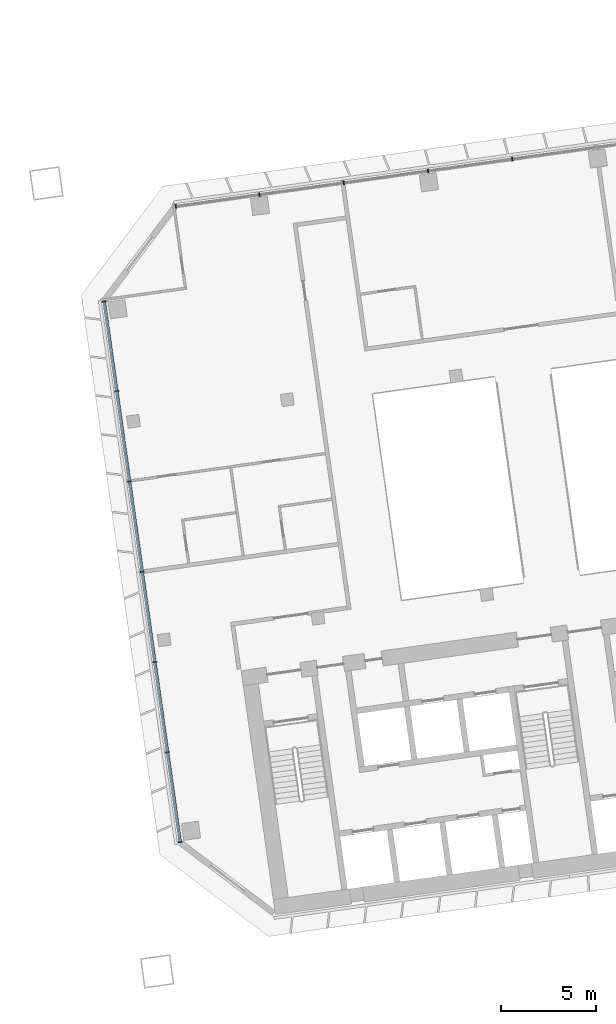
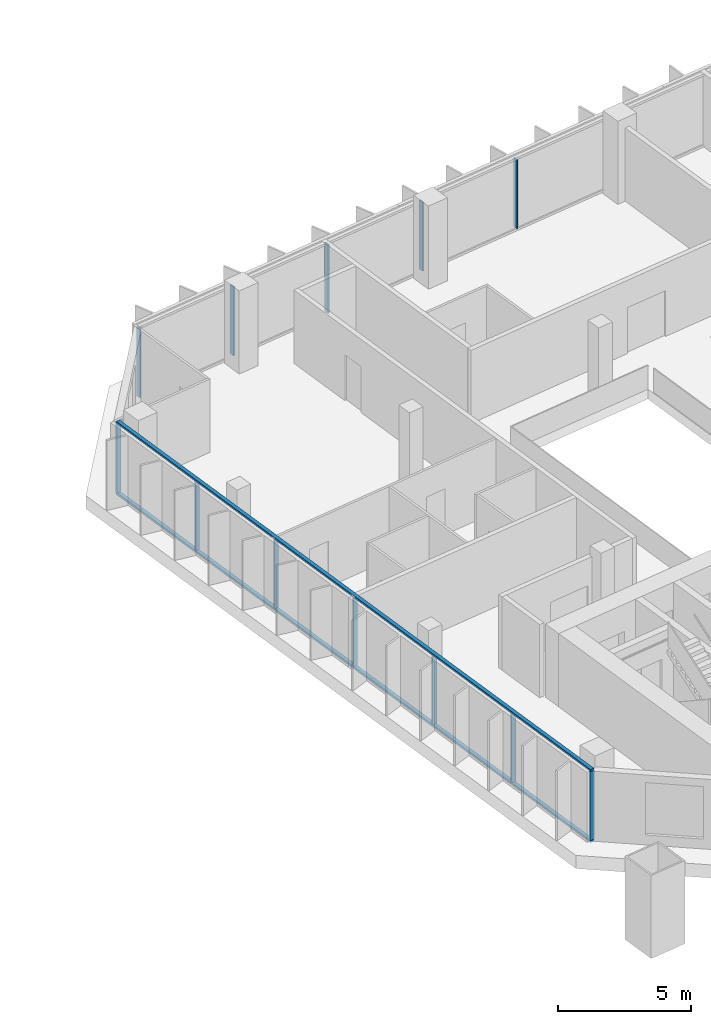
# One storey, part 7 of 25: 14 members, 2 elements without a shape of their own.
"""IFC4 building model written with IfcOpenShell, lengths in metres."""

from ifc_helpers import new_model, si_unit, direction, frame, origin, origin_2d, place, context, subcontext, project, spatial, rectangle, extrude, material, material_profile, profile_set, type_object, element, aggregate, save


model = new_model("IFC4")

# Units and contexts
model_context = context("Model", 3, precision=1e-05, world=origin(), true_north=direction((0.0, 1.0)))
body_context = subcontext(model_context, "Body", "Model", "MODEL_VIEW")
ifc_project = project(units=[si_unit("LENGTHUNIT", "METRE"), si_unit("AREAUNIT", "SQUARE_METRE"), si_unit("VOLUMEUNIT", "CUBIC_METRE"), si_unit("PLANEANGLEUNIT", "RADIAN"), si_unit("MASSUNIT", "GRAM", prefix="KILO")], contexts=[model_context])

# Site, building, storey
site_placement = place(None, origin())
site = spatial("IfcSite", under=ifc_project, at=site_placement, CompositionType="ELEMENT")
building_placement = place(site_placement, origin())
building = spatial("IfcBuilding", under=site, at=building_placement, Name="Mirante Cascada Hotel Towers", CompositionType="ELEMENT")
storey_placement = place(building_placement, frame((0.0, 0.0, 129.1)))
storey = spatial("IfcBuildingStorey", under=building, at=storey_placement, Name="L29", CompositionType="ELEMENT", Elevation=129.1)

# Curtain wall, members
ifc_material_1 = material(Name="Aluminium mullion and transom frame with clear laminated glass", Category="aluminium")
curtain_wall_type_1 = type_object("IfcCurtainWallType", Name="Ribbon curtain wall ECW1", PredefinedType="NOTDEFINED", material=ifc_material_1)
curtain_wall_1_placement = place(storey_placement, origin())
curtain_wall_1 = element("IfcCurtainWall", 1, at=curtain_wall_1_placement, inside=storey, type_object=curtain_wall_type_1, Name="Front ribbon wall T2 L29", PredefinedType="NOTDEFINED")
ifc_material_2 = material(Name="Anodised aluminium extrusion", Category="aluminium")
ifc_material_profile_1 = material_profile(ifc_material_2, rectangle(XDim=0.2, YDim=0.065, at=origin_2d()), Name="ECW1 MULLION 65x200")
ifc_profile_set_1 = profile_set([ifc_material_profile_1], Name="Anodised aluminium extrusion")
member_type_1 = type_object("IfcMemberType", Name="ECW1 mullion 65x200", PredefinedType="MULLION", material=ifc_profile_set_1)
member_1_placement = place(storey_placement, frame((49.684, 19.8017, 0.1), z_axis=(0.0, 0.0, 1.0), x_axis=(0.1391731, -0.9902681, 0.0)))
member_1 = element("IfcMember", 2, at=member_1_placement, type_object=member_type_1, Name="ECW1 mullion 11", PredefinedType="MULLION", context=body_context, shape_type="SweptSolid", body=[
    extrude(rectangle(XDim=0.2, YDim=0.065, at=origin_2d()), origin(), (0.0, 0.0, 1.0), 3.15),
])
member_2_placement = place(storey_placement, frame((45.2366, 19.1766, 0.1), z_axis=(0.0, 0.0, 1.0), x_axis=(0.1391731, -0.9902681, 0.0)))
member_2 = element("IfcMember", 3, at=member_2_placement, type_object=member_type_1, Name="ECW1 mullion 12", PredefinedType="MULLION", context=body_context, shape_type="SweptSolid", body=[
    extrude(rectangle(XDim=0.2, YDim=0.065, at=origin_2d()), origin(), (0.0, 0.0, 1.0), 3.15),
])
member_3_placement = place(storey_placement, frame((40.7892, 18.5516, 0.1), z_axis=(0.0, 0.0, 1.0), x_axis=(0.1391731, -0.9902681, 0.0)))
member_3 = element("IfcMember", 4, at=member_3_placement, type_object=member_type_1, Name="ECW1 mullion 13", PredefinedType="MULLION", context=body_context, shape_type="SweptSolid", body=[
    extrude(rectangle(XDim=0.2, YDim=0.065, at=origin_2d()), origin(), (0.0, 0.0, 1.0), 3.15),
])
member_4_placement = place(storey_placement, frame((36.3417, 17.9265, 0.1), z_axis=(0.0, 0.0, 1.0), x_axis=(0.1391731, -0.9902681, 0.0)))
member_4 = element("IfcMember", 5, at=member_4_placement, type_object=member_type_1, Name="ECW1 mullion 14", PredefinedType="MULLION", context=body_context, shape_type="SweptSolid", body=[
    extrude(rectangle(XDim=0.2, YDim=0.065, at=origin_2d()), origin(), (0.0, 0.0, 1.0), 3.15),
])
member_5_placement = place(storey_placement, frame((31.9265, 17.306, 0.1), z_axis=(0.0, 0.0, 1.0), x_axis=(0.1391731, -0.9902681, 0.0)))
member_5 = element("IfcMember", 6, at=member_5_placement, type_object=member_type_1, Name="ECW1 mullion 15", PredefinedType="MULLION", context=body_context, shape_type="SweptSolid", body=[
    extrude(rectangle(XDim=0.2, YDim=0.065, at=origin_2d()), origin(), (0.0, 0.0, 1.0), 3.15),
])
aggregate(curtain_wall_1, [member_1, member_2, member_3, member_4, member_5])

ifc_material_3 = material(Name="Aluminium mullion and transom frame with clear laminated glass", Category="aluminium")
curtain_wall_type_2 = type_object("IfcCurtainWallType", Name="End ribbon curtain wall ECW2", PredefinedType="NOTDEFINED", material=ifc_material_3)
curtain_wall_2_placement = place(storey_placement, origin())
curtain_wall_2 = element("IfcCurtainWall", 7, at=curtain_wall_2_placement, inside=storey, type_object=curtain_wall_type_2, Name="Inner end wall T2 L29", PredefinedType="NOTDEFINED")
ifc_material_4 = material(Name="Anodised aluminium extrusion", Category="aluminium")
ifc_material_profile_2 = material_profile(ifc_material_4, rectangle(XDim=0.2, YDim=0.065, at=origin_2d()), Name="ECW2 MULLION 65x200")
ifc_profile_set_2 = profile_set([ifc_material_profile_2], Name="Anodised aluminium extrusion")
member_type_2 = type_object("IfcMemberType", Name="ECW2 mullion 65x200", PredefinedType="MULLION", material=ifc_profile_set_2)
member_6_placement = place(storey_placement, frame((28.1437, 12.2861, 0.1), z_axis=(0.0, 0.0, 1.0), x_axis=(0.9902681, 0.1391731, 0.0)))
member_6 = element("IfcMember", 8, at=member_6_placement, type_object=member_type_2, Name="ECW2 mullion 1", PredefinedType="MULLION", context=body_context, shape_type="SweptSolid", body=[
    extrude(rectangle(XDim=0.2, YDim=0.065, at=origin_2d()), origin(), (0.0, 0.0, 1.0), 3.15),
])
member_7_placement = place(storey_placement, frame((28.809, 7.5524, 0.1), z_axis=(0.0, 0.0, 1.0), x_axis=(0.9902681, 0.1391731, 0.0)))
member_7 = element("IfcMember", 9, at=member_7_placement, type_object=member_type_2, Name="ECW2 mullion 2", PredefinedType="MULLION", context=body_context, shape_type="SweptSolid", body=[
    extrude(rectangle(XDim=0.2, YDim=0.065, at=origin_2d()), origin(), (0.0, 0.0, 1.0), 3.15),
])
member_8_placement = place(storey_placement, frame((29.4788, 2.7867, 0.1), z_axis=(0.0, 0.0, 1.0), x_axis=(0.9902681, 0.1391731, 0.0)))
member_8 = element("IfcMember", 10, at=member_8_placement, type_object=member_type_2, Name="ECW2 mullion 3", PredefinedType="MULLION", context=body_context, shape_type="SweptSolid", body=[
    extrude(rectangle(XDim=0.2, YDim=0.065, at=origin_2d()), origin(), (0.0, 0.0, 1.0), 3.15),
])
member_9_placement = place(storey_placement, frame((30.1485, -1.9791, 0.1), z_axis=(0.0, 0.0, 1.0), x_axis=(0.9902681, 0.1391731, 0.0)))
member_9 = element("IfcMember", 11, at=member_9_placement, type_object=member_type_2, Name="ECW2 mullion 4", PredefinedType="MULLION", context=body_context, shape_type="SweptSolid", body=[
    extrude(rectangle(XDim=0.2, YDim=0.065, at=origin_2d()), origin(), (0.0, 0.0, 1.0), 3.15),
])
member_10_placement = place(storey_placement, frame((30.8183, -6.7449, 0.1), z_axis=(0.0, 0.0, 1.0), x_axis=(0.9902681, 0.1391731, 0.0)))
member_10 = element("IfcMember", 12, at=member_10_placement, type_object=member_type_2, Name="ECW2 mullion 5", PredefinedType="MULLION", context=body_context, shape_type="SweptSolid", body=[
    extrude(rectangle(XDim=0.2, YDim=0.065, at=origin_2d()), origin(), (0.0, 0.0, 1.0), 3.15),
])
member_11_placement = place(storey_placement, frame((31.4881, -11.5107, 0.1), z_axis=(0.0, 0.0, 1.0), x_axis=(0.9902681, 0.1391731, 0.0)))
member_11 = element("IfcMember", 13, at=member_11_placement, type_object=member_type_2, Name="ECW2 mullion 6", PredefinedType="MULLION", context=body_context, shape_type="SweptSolid", body=[
    extrude(rectangle(XDim=0.2, YDim=0.065, at=origin_2d()), origin(), (0.0, 0.0, 1.0), 3.15),
])
member_12_placement = place(storey_placement, frame((32.1534, -16.2443, 0.1), z_axis=(0.0, 0.0, 1.0), x_axis=(0.9902681, 0.1391731, 0.0)))
member_12 = element("IfcMember", 14, at=member_12_placement, type_object=member_type_2, Name="ECW2 mullion 7", PredefinedType="MULLION", context=body_context, shape_type="SweptSolid", body=[
    extrude(rectangle(XDim=0.2, YDim=0.065, at=origin_2d()), origin(), (0.0, 0.0, 1.0), 3.15),
])
ifc_material_5 = material(Name="Anodised aluminium extrusion", Category="aluminium")
ifc_material_profile_3 = material_profile(ifc_material_5, rectangle(XDim=0.16, YDim=0.1, at=origin_2d()), Name="ECW2 TRANSOM 100x160")
ifc_profile_set_3 = profile_set([ifc_material_profile_3], Name="Anodised aluminium extrusion")
member_type_3 = type_object("IfcMemberType", Name="ECW2 transom 100x160", PredefinedType="USERDEFINED", material=ifc_profile_set_3)
member_13_placement = place(storey_placement, frame((28.1392, 12.3182, 0.05), z_axis=(0.1391723, -0.9902682, 0.0), x_axis=(0.9902682, 0.1391723, 0.0)))
member_13 = element("IfcMember", 15, at=member_13_placement, type_object=member_type_3, Name="ECW2 sill transom", ObjectType="TRANSOM", PredefinedType="USERDEFINED", context=body_context, shape_type="SweptSolid", body=[
    extrude(rectangle(XDim=0.16, YDim=0.1, at=origin_2d()), origin(), (0.0, 0.0, 1.0), 28.8757),
])
member_14_placement = place(storey_placement, frame((28.1392, 12.3182, 3.3), z_axis=(0.1391723, -0.9902682, 0.0), x_axis=(0.9902682, 0.1391723, 0.0)))
member_14 = element("IfcMember", 16, at=member_14_placement, type_object=member_type_3, Name="ECW2 head transom", ObjectType="TRANSOM", PredefinedType="USERDEFINED", context=body_context, shape_type="SweptSolid", body=[
    extrude(rectangle(XDim=0.16, YDim=0.1, at=origin_2d()), origin(), (0.0, 0.0, 1.0), 28.8757),
])
aggregate(curtain_wall_2, [member_13, member_14, member_6, member_7, member_8, member_9, member_10, member_11, member_12])

save(model, "model.ifc")
